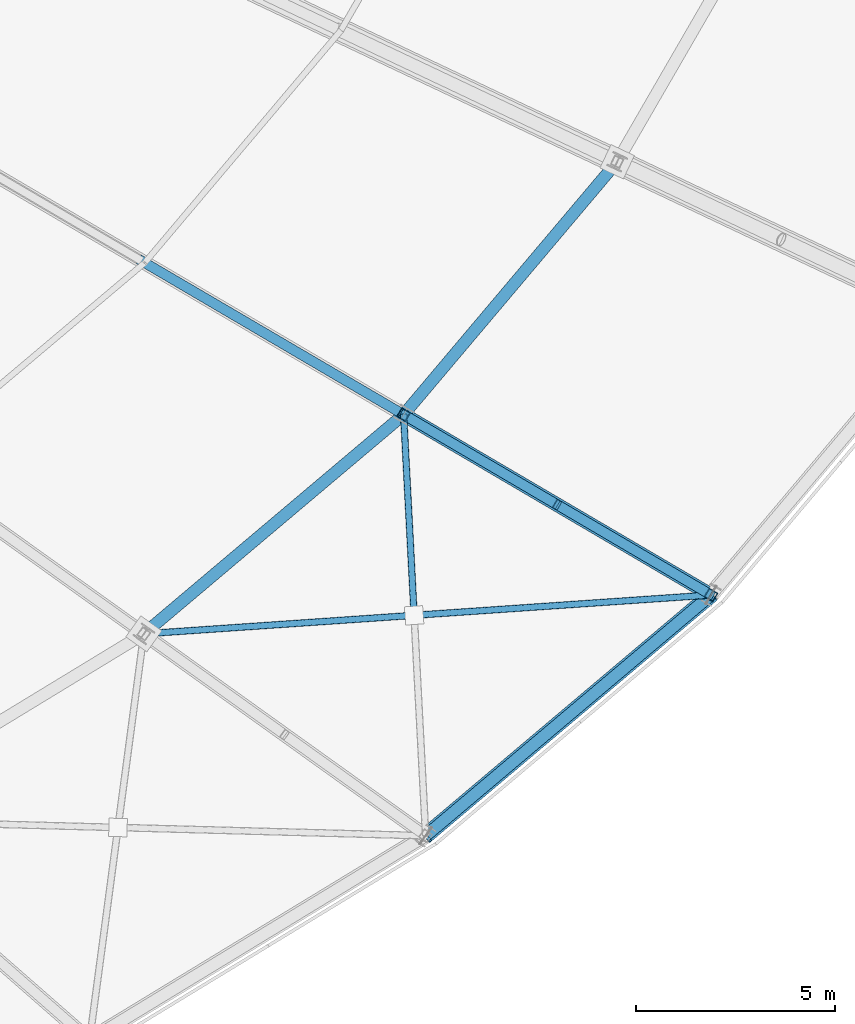
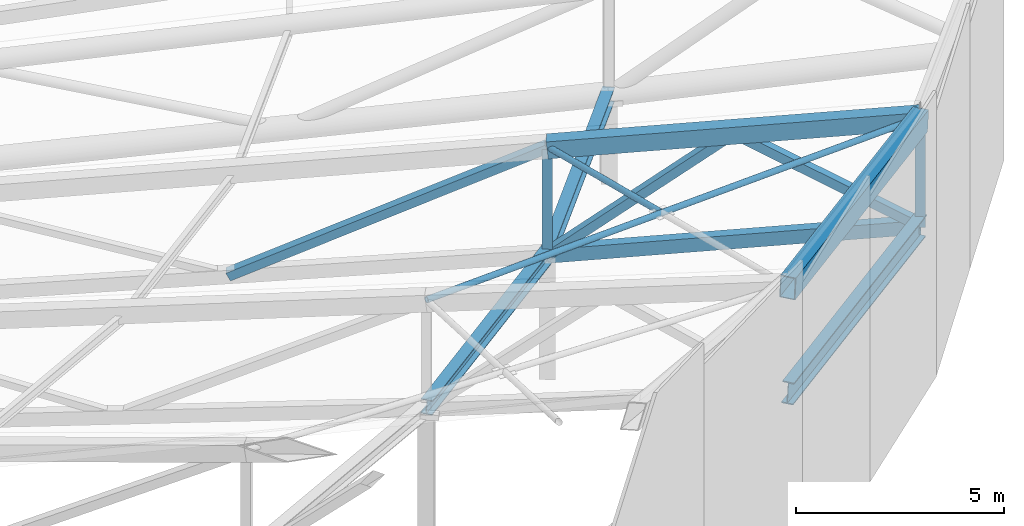
# One storey, part 63 of 143: 7 members, 6 beams.
"""IFC4 building model written with IfcOpenShell, lengths in metres."""

from ifc_helpers import new_model, si_unit, direction, frame, origin, origin_2d, place, context, subcontext, project, spatial, hollow_rectangle, hollow_circle, i_section, extrude, material, material_profile, profile_set, type_object, element, save


model = new_model("IFC4")

# Units and contexts
model_context = context("Model", 3, precision=1e-05, world=origin(), true_north=direction((0.0, 1.0)))
body_context = subcontext(model_context, "Body", "Model", "MODEL_VIEW")
ifc_project = project(units=[si_unit("LENGTHUNIT", "METRE"), si_unit("AREAUNIT", "SQUARE_METRE"), si_unit("VOLUMEUNIT", "CUBIC_METRE"), si_unit("PLANEANGLEUNIT", "RADIAN"), si_unit("MASSUNIT", "GRAM", prefix="KILO")], contexts=[model_context])

# Site, building, storey
site_placement = place(None, origin())
site = spatial("IfcSite", under=ifc_project, at=site_placement, CompositionType="ELEMENT")
building_placement = place(site_placement, origin())
building = spatial("IfcBuilding", under=site, at=building_placement, Name="Mphavela Belvedere Stadium", CompositionType="ELEMENT")
storey_placement = place(building_placement, frame((0.0, 0.0, 28.800048828125)))
storey = spatial("IfcBuildingStorey", under=building, at=storey_placement, Name="RF", CompositionType="ELEMENT", Elevation=28.800048828125)

# Beams
ifc_material_1 = material(Name="Steel S355", Category="steel")
ifc_material_profile_1 = material_profile(ifc_material_1, hollow_rectangle(XDim=0.39990234375, YDim=0.60009765625, WallThickness=0.02001953125, at=origin_2d()), Name="RHS 600x400x20")
ifc_profile_set_1 = profile_set([ifc_material_profile_1], Name="Steel S355")
beam_type_1 = type_object("IfcBeamType", Name="BM-RING-OUT", PredefinedType="BEAM", material=ifc_profile_set_1)
beam_1_placement = place(storey_placement, frame((194.155517578125, 30.285400390625, 8.805908203125), z_axis=(0.75767620919, 0.639341612092, -0.131030779116), x_axis=(-0.644901761212, 0.76426547638, 0.0)))
element("IfcBeam", 1, at=beam_1_placement, inside=storey, type_object=beam_type_1, Name="Perimeter compression ring beam RB-OUT-43", PredefinedType="BEAM", context=body_context, shape_type="SweptSolid", body=[
    extrude(hollow_rectangle(XDim=0.39990234375, YDim=0.60009765625, WallThickness=0.02001953125, at=origin_2d()), origin(), (0.0, 0.0, 1.0), 9.480224609375),
])
ifc_material_2 = material(Name="Steel S355", Category="steel")
ifc_material_profile_2 = material_profile(ifc_material_2, i_section(OverallWidth=0.300048828125, OverallDepth=0.39990234375, WebThickness=0.013427734375, FlangeThickness=0.02392578125, at=origin_2d()), Name="HEB 400")
ifc_profile_set_2 = profile_set([ifc_material_profile_2], Name="Steel S355")
beam_type_2 = type_object("IfcBeamType", Name="BM-STEEL-HEB400", PredefinedType="BEAM", material=ifc_profile_set_2)
beam_2_placement = place(storey_placement, frame((187.061279296875, 35.368408203125, 4.701171875), z_axis=(0.757674039496, 0.639344047441, -0.131031442314), x_axis=(-0.644904274761, 0.764263355392, 0.0)))
element("IfcBeam", 2, at=beam_2_placement, inside=storey, type_object=beam_type_2, Name="Roof bottom-chord tie girder R3-43", PredefinedType="BEAM", context=body_context, shape_type="SweptSolid", body=[
    extrude(i_section(OverallWidth=0.300048828125, OverallDepth=0.39990234375, WebThickness=0.013427734375, FlangeThickness=0.02392578125, at=origin_2d()), origin(), (0.0, 0.0, 1.0), 8.63037109375),
])
beam_3_placement = place(storey_placement, frame((193.600341796875, 40.88623046875, 3.5703125), z_axis=(0.640076100613, 0.75799174144, -0.125503407655), x_axis=(-0.764032804808, 0.645177396673, 0.0)))
element("IfcBeam", 3, at=beam_3_placement, inside=storey, type_object=beam_type_2, Name="Roof bottom-chord tie girder R3-44", PredefinedType="BEAM", context=body_context, shape_type="SweptSolid", body=[
    extrude(i_section(OverallWidth=0.300048828125, OverallDepth=0.39990234375, WebThickness=0.013427734375, FlangeThickness=0.02392578125, at=origin_2d()), origin(), (0.0, 0.0, 1.0), 8.397705078125),
])
ifc_material_3 = material(Name="Steel S355", Category="steel")
ifc_material_profile_3 = material_profile(ifc_material_3, i_section(OverallWidth=0.300048828125, OverallDepth=0.60009765625, WebThickness=0.015380859375, FlangeThickness=0.030029296875, at=origin_2d()), Name="HEB 600")
ifc_profile_set_3 = profile_set([ifc_material_profile_3], Name="Steel S355")
beam_type_3 = type_object("IfcBeamType", Name="BM-STEEL-HEB600", PredefinedType="BEAM", material=ifc_profile_set_3)
beam_4_placement = place(storey_placement, frame((194.155517578125, 30.285400390625, 5.7109375), z_axis=(0.75767620919, 0.639341612092, -0.131030779116), x_axis=(-0.644901761212, 0.76426547638, 0.0)))
element("IfcBeam", 4, at=beam_4_placement, inside=storey, type_object=beam_type_3, Name="Roof bottom-chord tie girder R4-43", PredefinedType="BEAM", context=body_context, shape_type="SweptSolid", body=[
    extrude(i_section(OverallWidth=0.300048828125, OverallDepth=0.60009765625, WebThickness=0.015380859375, FlangeThickness=0.030029296875, at=origin_2d()), origin(), (0.0, 0.0, 1.0), 9.480224609375),
])
ifc_material_4 = material(Name="Steel S355", Category="steel")
ifc_material_profile_4 = material_profile(ifc_material_4, hollow_rectangle(XDim=0.25, YDim=0.39990234375, WallThickness=0.01611328125, at=origin_2d()), Name="RHS 400x250x16")
ifc_profile_set_4 = profile_set([ifc_material_profile_4], Name="Steel S355")
beam_type_4 = type_object("IfcBeamType", Name="BM-TRUSS-BC2", PredefinedType="BEAM", material=ifc_profile_set_4)
beam_5_placement = place(storey_placement, frame((201.33837890625, 36.346435546875, 4.46875), z_axis=(-0.858225019293, 0.503508257888, -0.099645624578), x_axis=(-0.506026758411, -0.862517779395, 0.0)))
element("IfcBeam", 5, at=beam_5_placement, inside=storey, type_object=beam_type_4, Name="Radial roof truss RT-44 bottom chord 1", PredefinedType="BEAM", context=body_context, shape_type="SweptSolid", body=[
    extrude(hollow_rectangle(XDim=0.25, YDim=0.39990234375, WallThickness=0.01611328125, at=origin_2d()), origin(), (0.0, 0.0, 1.0), 9.016357421875),
])
ifc_material_5 = material(Name="Steel S355", Category="steel")
ifc_material_profile_5 = material_profile(ifc_material_5, hollow_rectangle(XDim=0.35009765625, YDim=0.5, WallThickness=0.02001953125, at=origin_2d()), Name="RHS 500x350x20")
ifc_profile_set_5 = profile_set([ifc_material_profile_5], Name="Steel S355")
beam_type_5 = type_object("IfcBeamType", Name="BM-TRUSS-TC2", PredefinedType="BEAM", material=ifc_profile_set_5)
beam_6_placement = place(storey_placement, frame((201.33837890625, 36.346435546875, 7.61865234375), z_axis=(-0.858225019293, 0.503508257888, -0.099645624578), x_axis=(-0.506026758411, -0.862517779395, 0.0)))
element("IfcBeam", 6, at=beam_6_placement, inside=storey, type_object=beam_type_5, Name="Radial roof truss RT-44 top chord 1", PredefinedType="BEAM", context=body_context, shape_type="SweptSolid", body=[
    extrude(hollow_rectangle(XDim=0.35009765625, YDim=0.5, WallThickness=0.02001953125, at=origin_2d()), origin(), (0.0, 0.0, 1.0), 9.016357421875),
])

# Members
ifc_material_6 = material(Name="Steel S355", Category="steel")
ifc_material_profile_6 = material_profile(ifc_material_6, hollow_rectangle(XDim=0.25, YDim=0.25, WallThickness=0.012451171875, at=origin_2d()), Name="SHS 250x250x12.5")
ifc_profile_set_6 = profile_set([ifc_material_profile_6], Name="Steel S355")
member_type_1 = type_object("IfcMemberType", Name="MEM-POST-SHS250", PredefinedType="POST", material=ifc_profile_set_6)
for number, where, z_axis, x_axis, name in (
    (7, (201.33837890625, 36.346435546875, 4.46875), (0.0, 0.0, 1.0), (0.862513669207, -0.506033764121, 0.0), "Radial roof truss RT-44 post P1"),
    (8, (193.600341796875, 40.88623046875, 3.5703125), (0.0, 0.0, 1.0), (0.862513669207, -0.506033764121, 0.0), "Radial roof truss RT-44 post P2"),
):
    element("IfcMember", number, at=place(storey_placement, frame(where, z_axis=z_axis, x_axis=x_axis)), inside=storey, type_object=member_type_1, Name=name, PredefinedType="POST", context=body_context, shape_type="SweptSolid", body=[
        extrude(hollow_rectangle(XDim=0.25, YDim=0.25, WallThickness=0.012451171875, at=origin_2d()), origin(), (0.0, 0.0, 1.0), 3.14990234375),
    ])
member_1_placement = place(storey_placement, frame((201.33837890625, 36.346435546875, 4.46875), z_axis=(-0.738926841787, 0.433508099205, 0.515807958847), x_axis=(-0.50601839061, -0.862522688609, 0.0)))
element("IfcMember", 9, at=member_1_placement, inside=storey, type_object=member_type_1, Name="Radial roof truss RT-44 web diagonal D1", PredefinedType="POST", context=body_context, shape_type="SweptSolid", body=[
    extrude(hollow_rectangle(XDim=0.25, YDim=0.25, WallThickness=0.012451171875, at=origin_2d()), origin(), (0.0, 0.0, 1.0), 5.23583984375),
])
member_2_placement = place(storey_placement, frame((197.469482421875, 38.6162109375, 7.16943359375), z_axis=(-0.672747427141, 0.394699998584, -0.625797739204), x_axis=(-0.506035125542, -0.862512870465, 0.0)))
element("IfcMember", 10, at=member_2_placement, inside=storey, type_object=member_type_1, Name="Radial roof truss RT-44 web diagonal D2", PredefinedType="POST", context=body_context, shape_type="SweptSolid", body=[
    extrude(hollow_rectangle(XDim=0.25, YDim=0.25, WallThickness=0.012451171875, at=origin_2d()), origin(), (0.0, 0.0, 1.0), 5.751220703125),
])
member_3_placement = place(storey_placement, frame((193.600341796875, 40.88623046875, 6.72021484375), z_axis=(-0.773195010887, 0.453614205118, -0.443174489399), x_axis=(-0.506019976989, -0.862521757922, 0.0)))
element("IfcMember", 11, at=member_3_placement, inside=storey, type_object=member_type_1, Name="Radial roof truss RT-44 web diagonal D3", PredefinedType="POST", context=body_context, shape_type="SweptSolid", body=[
    extrude(hollow_rectangle(XDim=0.25, YDim=0.25, WallThickness=0.012451171875, at=origin_2d()), origin(), (0.0, 0.0, 1.0), 8.55908203125),
])
ifc_material_7 = material(Name="Steel S355", Category="steel")
ifc_material_profile_7 = material_profile(ifc_material_7, hollow_circle(Radius=0.084228515625, WallThickness=0.010009765625, at=origin_2d()), Name="CHS 168.3x10")
ifc_profile_set_7 = profile_set([ifc_material_profile_7], Name="Steel S355")
member_type_2 = type_object("IfcMemberType", Name="MEM-ROOF-XBRACE", PredefinedType="BRACE", material=ifc_profile_set_7)
member_4_placement = place(storey_placement, frame((187.061279296875, 35.368408203125, 7.851318359375), z_axis=(0.997530048302, 0.068334023726, -0.016256196858), x_axis=(-0.068343054625, 0.99766188004, 0.0)))
element("IfcMember", 12, at=member_4_placement, inside=storey, type_object=member_type_2, Name="Roof diaphragm continuous X-brace A 43", PredefinedType="BRACE", context=body_context, shape_type="SweptSolid", body=[
    extrude(hollow_circle(Radius=0.084228515625, WallThickness=0.010009765625, at=origin_2d()), origin(), (0.0, 0.0, 1.0), 14.3125),
])
member_5_placement = place(storey_placement, frame((193.864990234375, 35.83447265625, 7.740478515625), z_axis=(-0.051283031639, 0.978919271838, -0.197704602601), x_axis=(-0.998630598401, -0.052315656711, 0.0)))
element("IfcMember", 13, at=member_5_placement, inside=storey, type_object=member_type_2, Name="Roof diaphragm split X-brace B2 43", PredefinedType="BRACE", context=body_context, shape_type="SweptSolid", body=[
    extrude(hollow_circle(Radius=0.084228515625, WallThickness=0.010009765625, at=origin_2d()), origin(), (0.0, 0.0, 1.0), 5.16064453125),
])

save(model, "model.ifc")
